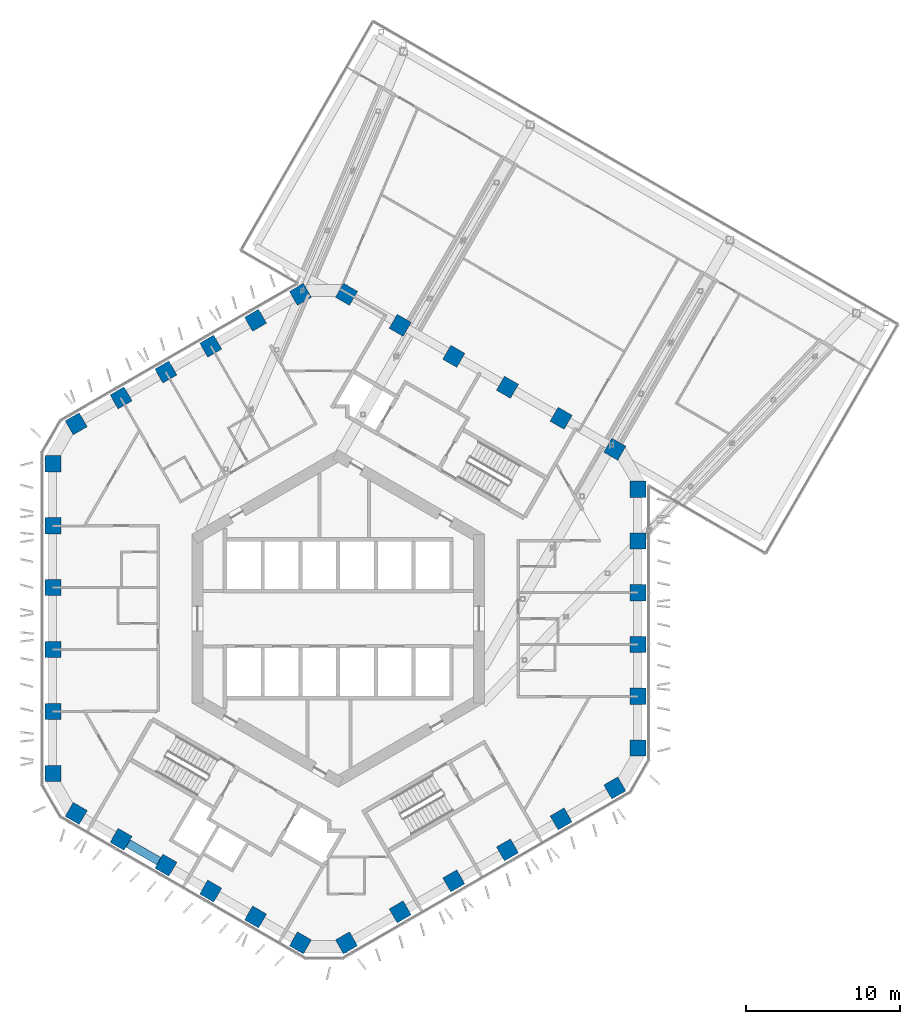
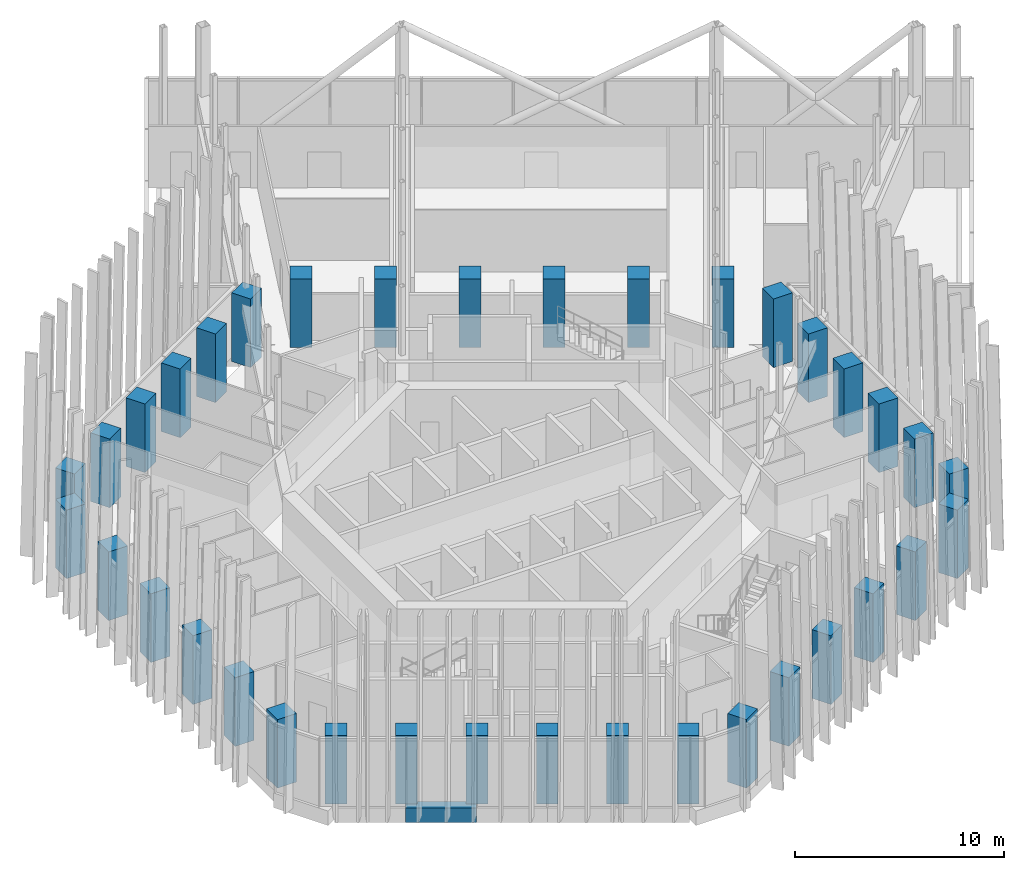
# One storey, part 1 of 31: 36 columns, 1 beam.
"""IFC4 building model written with IfcOpenShell, lengths in metres."""

from ifc_helpers import new_model, si_unit, direction, frame, origin, origin_2d, place, context, subcontext, project, spatial, rectangle, extrude, material, material_profile, profile_set, type_object, element, save


model = new_model("IFC4")

# Units and contexts
model_context = context("Model", 3, precision=1e-05, world=origin(), true_north=direction((0.0, 1.0)))
body_context = subcontext(model_context, "Body", "Model", "MODEL_VIEW")
ifc_project = project(units=[si_unit("LENGTHUNIT", "METRE"), si_unit("AREAUNIT", "SQUARE_METRE"), si_unit("VOLUMEUNIT", "CUBIC_METRE"), si_unit("PLANEANGLEUNIT", "RADIAN"), si_unit("MASSUNIT", "GRAM", prefix="KILO")], contexts=[model_context])

# Site, building, storey
site_placement = place(None, origin())
site = spatial("IfcSite", under=ifc_project, at=site_placement, CompositionType="ELEMENT")
building_placement = place(site_placement, origin())
building = spatial("IfcBuilding", under=site, at=building_placement, Name="Ayvan Gate Tower", CompositionType="ELEMENT")
storey_placement = place(building_placement, frame((0.0, 0.0, 135.89990234375)))
storey = spatial("IfcBuildingStorey", under=building, at=storey_placement, Name="L36", CompositionType="ELEMENT", Elevation=135.89990234375)

# Columns
ifc_material_1 = material(Name="Concrete C60/75", Category="concrete")
ifc_material_profile_1 = material_profile(ifc_material_1, rectangle(XDim=1.050048828125, YDim=1.050048828125, at=origin_2d()), Name="RC 1050x1050")
ifc_profile_set_1 = profile_set([ifc_material_profile_1], Name="Concrete C60/75")
column_type = type_object("IfcColumnType", Name="Tube column RC 1050x1050 C60/75", PredefinedType="COLUMN", material=ifc_profile_set_1)
for number, where, z_axis, x_axis, name in (
    (1, (19.485595703125, -8.413330078125, 0.0), (0.0, 0.0, 1.0), (1.0, 0.0, 0.0), "C-T0-0-L36"),
    (2, (19.485595703125, -5.048095703125, 0.0), (0.0, 0.0, 1.0), (1.0, 0.0, 0.0), "C-T0-1-L36"),
    (3, (19.485595703125, -1.6826171875, 0.0), (0.0, 0.0, 1.0), (1.0, 0.0, 0.0), "C-T0-2-L36"),
    (4, (19.485595703125, 1.6826171875, 0.0), (0.0, 0.0, 1.0), (1.0, 0.0, 0.0), "C-T0-3-L36"),
    (5, (19.485595703125, 5.048095703125, 0.0), (0.0, 0.0, 1.0), (1.0, 0.0, 0.0), "C-T0-4-L36"),
    (6, (19.485595703125, 8.413330078125, 0.0), (0.0, 0.0, 1.0), (1.0, 0.0, 0.0), "C-T0-5-L36"),
    (7, (17.985595703125, 11.011474609375, 0.0), (0.0, 0.0, 1.0), (0.5, 0.866025403784, 0.0), "C-T1-0-L36"),
    (8, (14.4970703125, 13.025634765625, 0.0), (0.0, 0.0, 1.0), (0.5, 0.866025403784, 0.0), "C-T1-1-L36"),
    (9, (11.0087890625, 15.03955078125, 0.0), (0.0, 0.0, 1.0), (0.5, 0.866025403784, 0.0), "C-T1-2-L36"),
    (10, (7.520263671875, 17.0537109375, 0.0), (0.0, 0.0, 1.0), (0.5, 0.866025403784, 0.0), "C-T1-3-L36"),
    (11, (4.031982421875, 19.067626953125, 0.0), (0.0, 0.0, 1.0), (0.5, 0.866025403784, 0.0), "C-T1-4-L36"),
    (12, (0.54345703125, 21.081787109375, 0.0), (0.0, 0.0, 1.0), (0.5, 0.866025403784, 0.0), "C-T1-5-L36"),
    (13, (-2.45654296875, 21.081787109375, 0.0), (0.0, 0.0, 1.0), (-0.5, 0.866025403784, 0.0), "C-T2-0-L36"),
    (14, (-5.37109375, 19.39892578125, 0.0), (0.0, 0.0, 1.0), (-0.5, 0.866025403784, 0.0), "C-T2-1-L36"),
    (15, (-8.28564453125, 17.71630859375, 0.0), (0.0, 0.0, 1.0), (-0.5, 0.866025403784, 0.0), "C-T2-2-L36"),
    (16, (-11.199951171875, 16.03369140625, 0.0), (0.0, 0.0, 1.0), (-0.5, 0.866025403784, 0.0), "C-T2-3-L36"),
    (17, (-14.114501953125, 14.35107421875, 0.0), (0.0, 0.0, 1.0), (-0.5, 0.866025403784, 0.0), "C-T2-4-L36"),
    (18, (-17.029052734375, 12.668212890625, 0.0), (0.0, 0.0, 1.0), (-0.5, 0.866025403784, 0.0), "C-T2-5-L36"),
    (19, (-18.529052734375, 10.0703125, 0.0), (0.0, 0.0, 1.0), (-1.0, 0.0, 0.0), "C-T3-0-L36"),
    (20, (-18.529052734375, 6.042236328125, 0.0), (0.0, 0.0, 1.0), (-1.0, 0.0, 0.0), "C-T3-1-L36"),
    (21, (-18.529052734375, 2.01416015625, 0.0), (0.0, 0.0, 1.0), (-1.0, 0.0, 0.0), "C-T3-2-L36"),
    (22, (-18.529052734375, -2.01416015625, 0.0), (0.0, 0.0, 1.0), (-1.0, 0.0, 0.0), "C-T3-3-L36"),
    (23, (-18.529052734375, -6.042236328125, 0.0), (0.0, 0.0, 1.0), (-1.0, 0.0, 0.0), "C-T3-4-L36"),
    (24, (-18.529052734375, -10.0703125, 0.0), (0.0, 0.0, 1.0), (-1.0, 0.0, 0.0), "C-T3-5-L36"),
    (25, (-17.029052734375, -12.668212890625, 0.0), (0.0, 0.0, 1.0), (-0.5, -0.866025403784, 0.0), "C-T4-0-L36"),
    (26, (-14.114501953125, -14.35107421875, 0.0), (0.0, 0.0, 1.0), (-0.5, -0.866025403784, 0.0), "C-T4-1-L36"),
    (27, (-11.199951171875, -16.03369140625, 0.0), (0.0, 0.0, 1.0), (-0.5, -0.866025403784, 0.0), "C-T4-2-L36"),
    (28, (-8.28564453125, -17.71630859375, 0.0), (0.0, 0.0, 1.0), (-0.5, -0.866025403784, 0.0), "C-T4-3-L36"),
    (29, (-5.37109375, -19.39892578125, 0.0), (0.0, 0.0, 1.0), (-0.5, -0.866025403784, 0.0), "C-T4-4-L36"),
    (30, (-2.45654296875, -21.081787109375, 0.0), (0.0, 0.0, 1.0), (-0.5, -0.866025403784, 0.0), "C-T4-5-L36"),
    (31, (0.54345703125, -21.081787109375, 0.0), (0.0, 0.0, 1.0), (0.5, -0.866025403784, 0.0), "C-T5-0-L36"),
    (32, (4.031982421875, -19.067626953125, 0.0), (0.0, 0.0, 1.0), (0.5, -0.866025403784, 0.0), "C-T5-1-L36"),
    (33, (7.520263671875, -17.0537109375, 0.0), (0.0, 0.0, 1.0), (0.5, -0.866025403784, 0.0), "C-T5-2-L36"),
    (34, (11.0087890625, -15.03955078125, 0.0), (0.0, 0.0, 1.0), (0.5, -0.866025403784, 0.0), "C-T5-3-L36"),
    (35, (14.4970703125, -13.025634765625, 0.0), (0.0, 0.0, 1.0), (0.5, -0.866025403784, 0.0), "C-T5-4-L36"),
    (36, (17.985595703125, -11.011474609375, 0.0), (0.0, 0.0, 1.0), (0.5, -0.866025403784, 0.0), "C-T5-5-L36"),
):
    element("IfcColumn", number, at=place(storey_placement, frame(where, z_axis=z_axis, x_axis=x_axis)), inside=storey, type_object=column_type, Name=name, PredefinedType="COLUMN", context=body_context, shape_type="SweptSolid", body=[
        extrude(rectangle(XDim=1.050048828125, YDim=1.050048828125, at=origin_2d()), origin(), (0.0, 0.0, 1.0), 4.0),
    ])

# Beam
ifc_material_2 = material(Name="Concrete C40/50", Category="concrete")
ifc_material_profile_2 = material_profile(ifc_material_2, rectangle(XDim=0.550048828125, YDim=0.85009765625, at=origin_2d()), Name="RC 550x850")
ifc_profile_set_2 = profile_set([ifc_material_profile_2], Name="Concrete C40/50")
beam_type = type_object("IfcBeamType", Name="Spandrel beam RC 550x850 C40/50", PredefinedType="BEAM", material=ifc_profile_set_2)
beam_placement = place(storey_placement, frame((-14.14404296875, -14.333984375, -0.824951171875), z_axis=(0.866012783096, -0.500021859037, 0.0), x_axis=(0.500021859037, 0.866012783096, 0.0)))
element("IfcBeam", 37, at=beam_placement, inside=storey, type_object=beam_type, Name="SB-L36-26", PredefinedType="BEAM", context=body_context, shape_type="SweptSolid", body=[
    extrude(rectangle(XDim=0.550048828125, YDim=0.85009765625, at=origin_2d()), origin(), (0.0, 0.0, 1.0), 3.387939453125),
])

save(model, "model.ifc")
